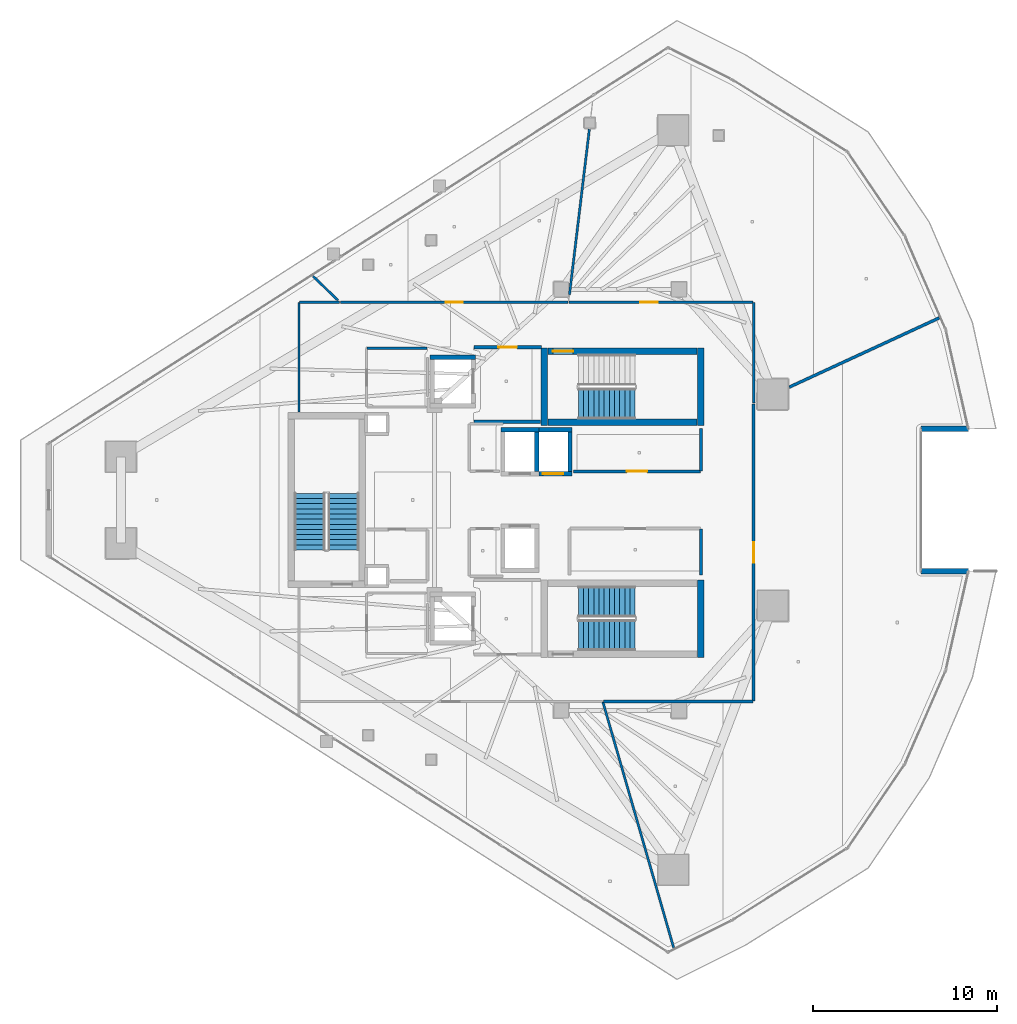
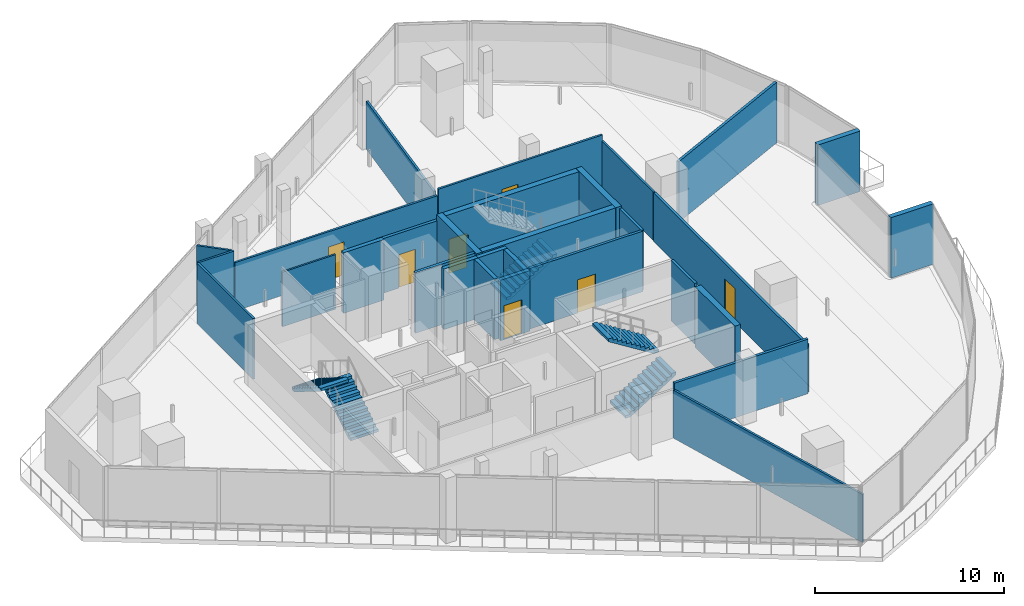
# One storey, part 23 of 31: 30 walls, 7 doors, 5 stair flights, 7 openings, 3 elements without a shape of their own.
"""IFC4 building model written with IfcOpenShell, lengths in metres."""

from ifc_helpers import new_model, si_unit, direction, frame, frame_2d, origin, place, context, subcontext, project, spatial, polyline, rectangle, outline, extrude, material, layer, layer_set, type_object, element, fill, aggregate, save


model = new_model("IFC4")

# Units and contexts
model_context = context("Model", 3, precision=1e-05, world=origin(), true_north=direction((0.0, 1.0)))
body_context = subcontext(model_context, "Body", "Model", "MODEL_VIEW")
ifc_project = project(units=[si_unit("LENGTHUNIT", "METRE"), si_unit("AREAUNIT", "SQUARE_METRE"), si_unit("VOLUMEUNIT", "CUBIC_METRE"), si_unit("PLANEANGLEUNIT", "RADIAN"), si_unit("MASSUNIT", "GRAM", prefix="KILO")], contexts=[model_context])

# Site, building, storey
site_placement = place(None, origin())
site = spatial("IfcSite", under=ifc_project, at=site_placement, CompositionType="ELEMENT")
building_placement = place(site_placement, origin())
building = spatial("IfcBuilding", under=site, at=building_placement, Name="Qorvath Tower", CompositionType="ELEMENT")
storey_placement = place(building_placement, frame((0.0, 0.0, 264.0)))
storey = spatial("IfcBuildingStorey", under=building, at=storey_placement, Name="L61", CompositionType="ELEMENT", Elevation=264.0)

# Wall
ifc_material_1 = material(Name="Gypsum shaftliner on steel studs", Category="steel")
ifc_layer_1 = layer(ifc_material_1, 0.179931640625)
ifc_layer_set_1 = layer_set([ifc_layer_1], Name="FW-LOBBY")
wall_type_1 = type_object("IfcWallType", Name="FW-LOBBY", PredefinedType="PARTITIONING", material=ifc_layer_set_1)
wall_1_placement = place(storey_placement, frame((-28.35498046875, 4.25, 0.0), z_axis=(0.0, 0.0, 1.0), x_axis=(1.0, 0.0, 0.0)))
element("IfcWall", 1, at=wall_1_placement, inside=storey, type_object=wall_type_1, Name="Interior Partition IW-T1-L61-001", PredefinedType="PARTITIONING", context=body_context, shape_type="SweptSolid", body=[
    extrude(rectangle(XDim=3.6220703125, YDim=0.179931640625, at=frame_2d((1.81103515625, 0.0))), origin(), (0.0, 0.0, 1.0), 3.909912109375),
])

# Wall, opening, door
wall_2_placement = place(storey_placement, frame((-24.68408203125, 8.300048828125, 0.0), z_axis=(0.0, 0.0, 1.0), x_axis=(-1.0, 0.0, 0.0)))
wall_2 = element("IfcWall", 2, at=wall_2_placement, inside=storey, type_object=wall_type_1, Name="Interior Partition IW-T1-L61-002", PredefinedType="PARTITIONING", context=body_context, shape_type="SweptSolid", body=[
    extrude(rectangle(XDim=3.6708984375, YDim=0.179931640625, at=frame_2d((1.83544921875, 0.0))), origin(), (0.0, 0.0, 1.0), 3.52880859375),
])
opening_1_placement = place(wall_2_placement, frame((1.33544921875, 0.0, 0.0)))
opening_1 = element("IfcOpeningElement", 3, at=opening_1_placement, cuts=wall_2, Name="Opening D-T1-L61-12", PredefinedType="OPENING", context=body_context, shape_type="SweptSolid", body=[
    extrude(rectangle(XDim=1.0, YDim=2.14990234375, at=frame_2d((0.5, 1.074951171875))), frame((0.0, 0.10009765625, 0.0), z_axis=(0.0, -1.0, 0.0), x_axis=(1.0, 0.0, 0.0)), (0.0, 0.0, 1.0), 0.199951171875),
])
ifc_material_2 = material(Name="Painted galvanised hollow metal", Category="steel")
door_type_1 = type_object("IfcDoorType", Name="FD-60", OperationType="NOTDEFINED", PredefinedType="DOOR", material=ifc_material_2)
door_1_placement = place(opening_1_placement, origin())
door_1 = element("IfcDoor", 4, at=door_1_placement, inside=storey, type_object=door_type_1, Name="Lobby Fire Service Elevator North Door D-T1-L61-12", OperationType="SINGLE_SWING_RIGHT", OverallHeight=2.14990234375, OverallWidth=1.0, PredefinedType="DOOR", context=body_context, shape_type="SweptSolid", body=[
    extrude(rectangle(XDim=1.0, YDim=2.14990234375, at=frame_2d((0.5, 1.074951171875))), frame((0.0, 0.02490234375, 0.0), z_axis=(0.0, -1.0, 0.0), x_axis=(1.0, 0.0, 0.0)), (0.0, 0.0, 1.0), 0.050048828125),
])
fill(opening_1, door_1)

ifc_material_3 = material(Name="Double acoustic gypsum board on steel studs", Category="steel")
ifc_layer_2 = layer(ifc_material_3, 0.159912109375)
ifc_layer_set_2 = layer_set([ifc_layer_2], Name="IW-ACOUSTIC-160")
wall_type_2 = type_object("IfcWallType", Name="IW-ACOUSTIC-160", PredefinedType="PARTITIONING", material=ifc_layer_set_2)
wall_3_placement = place(storey_placement, frame((-22.933837890625, 1.56005859375, 0.0), z_axis=(0.0, 0.0, 1.0), x_axis=(1.0, 0.0, 0.0)))
wall_3 = element("IfcWall", 5, at=wall_3_placement, inside=storey, type_object=wall_type_2, Name="Interior Partition IW-T1-L61-013", PredefinedType="PARTITIONING", context=body_context, shape_type="SweptSolid", body=[
    extrude(rectangle(XDim=6.908935546875, YDim=0.159912109375, at=frame_2d((3.45458984375, 0.0))), origin(), (0.0, 0.0, 1.0), 3.909912109375),
])
opening_2_placement = place(wall_3_placement, frame((2.904541015625, 0.0, 0.0)))
opening_2 = element("IfcOpeningElement", 6, at=opening_2_placement, cuts=wall_3, Name="Opening D-T1-L61-03", PredefinedType="OPENING", context=body_context, shape_type="SweptSolid", body=[
    extrude(rectangle(XDim=1.10009765625, YDim=2.14990234375, at=frame_2d((0.550048828125, 1.074951171875))), frame((0.0, 0.08984375, 0.0), z_axis=(0.0, -1.0, 0.0), x_axis=(1.0, 0.0, 0.0)), (0.0, 0.0, 1.0), 0.179931640625),
])
ifc_material_4 = material(Name="Anodised aluminium acoustic framed glass", Category="aluminium")
door_type_2 = type_object("IfcDoorType", Name="D-03", OperationType="NOTDEFINED", PredefinedType="DOOR", material=ifc_material_4)
door_2_placement = place(opening_2_placement, origin())
door_2 = element("IfcDoor", 7, at=door_2_placement, inside=storey, type_object=door_type_2, Name="L61-RCN North Executive Support Office Door D-T1-L61-03", OperationType="SINGLE_SWING_LEFT", OverallHeight=2.14990234375, OverallWidth=1.10009765625, PredefinedType="DOOR", context=body_context, shape_type="SweptSolid", body=[
    extrude(rectangle(XDim=1.10009765625, YDim=2.14990234375, at=frame_2d((0.550048828125, 1.074951171875))), frame((0.0, 0.02490234375, 0.0), z_axis=(0.0, -1.0, 0.0), x_axis=(1.0, 0.0, 0.0)), (0.0, 0.0, 1.0), 0.050048828125),
])
fill(opening_2, door_2)

# Walls
wall_4_placement = place(storey_placement, frame((-16.0, 1.585205078125, 0.0), z_axis=(0.0, 0.0, 1.0), x_axis=(0.0, 1.0, 0.0)))
element("IfcWall", 8, at=wall_4_placement, inside=storey, type_object=wall_type_2, Name="Interior Partition IW-T1-L61-014", PredefinedType="PARTITIONING", context=body_context, shape_type="SweptSolid", body=[
    extrude(rectangle(XDim=2.30224609375, YDim=0.159912109375, at=frame_2d((1.151123046875, 0.0))), origin(), (0.0, 0.0, 1.0), 3.909912109375),
])
wall_5_placement = place(storey_placement, frame((-16.0, -4.0751953125, 0.0), z_axis=(0.0, 0.0, 1.0), x_axis=(0.0, 1.0, 0.0)))
element("IfcWall", 9, at=wall_5_placement, inside=storey, type_object=wall_type_2, Name="Interior Partition IW-T1-L61-016", PredefinedType="PARTITIONING", context=body_context, shape_type="SweptSolid", body=[
    extrude(rectangle(XDim=2.489990234375, YDim=0.159912109375, at=frame_2d((1.2451171875, 0.0))), origin(), (0.0, 0.0, 1.0), 3.909912109375),
])

# Wall, opening, door
wall_6_placement = place(storey_placement, frame((-13.14208984375, 5.2177734375, 0.0), z_axis=(0.0, 0.0, 1.0), x_axis=(0.0, -1.0, 0.0)))
wall_6 = element("IfcWall", 10, at=wall_6_placement, inside=storey, type_object=wall_type_2, Name="Interior Partition IW-T1-L61-033", PredefinedType="PARTITIONING", context=body_context, shape_type="SweptSolid", body=[
    extrude(rectangle(XDim=16.15087890625, YDim=0.159912109375, at=frame_2d((8.075439453125, 0.0))), origin(), (0.0, 0.0, 1.0), 3.1298828125),
])
opening_3_placement = place(wall_6_placement, frame((7.525390625, 0.0, 0.0)))
opening_3 = element("IfcOpeningElement", 11, at=opening_3_placement, cuts=wall_6, Name="Opening D-T1-L61-09", PredefinedType="OPENING", context=body_context, shape_type="SweptSolid", body=[
    extrude(rectangle(XDim=1.10009765625, YDim=2.14990234375, at=frame_2d((0.550048828125, 1.074951171875))), frame((0.0, 0.08984375, 0.0), z_axis=(0.0, -1.0, 0.0), x_axis=(1.0, 0.0, 0.0)), (0.0, 0.0, 1.0), 0.179931640625),
])
door_3_placement = place(opening_3_placement, origin())
door_3 = element("IfcDoor", 12, at=door_3_placement, inside=storey, type_object=door_type_2, Name="L61-02 Enclosed Conference Suite Door D-T1-L61-09", OperationType="SINGLE_SWING_LEFT", OverallHeight=2.14990234375, OverallWidth=1.10009765625, PredefinedType="DOOR", context=body_context, shape_type="SweptSolid", body=[
    extrude(rectangle(XDim=1.10009765625, YDim=2.14990234375, at=frame_2d((0.550048828125, 1.074951171875))), frame((0.0, 0.02490234375, 0.0), z_axis=(0.0, -1.0, 0.0), x_axis=(1.0, 0.0, 0.0)), (0.0, 0.0, 1.0), 0.050048828125),
])
fill(opening_3, door_3)

# Walls
wall_7_placement = place(storey_placement, frame((-21.31201171875, -10.9580078125, 0.0), z_axis=(0.0, 0.0, 1.0), x_axis=(1.0, 0.0, 0.0)))
element("IfcWall", 13, at=wall_7_placement, inside=storey, type_object=wall_type_2, Name="Interior Partition IW-T1-L61-034", PredefinedType="PARTITIONING", context=body_context, shape_type="SweptSolid", body=[
    extrude(rectangle(XDim=8.14501953125, YDim=0.159912109375, at=frame_2d((4.072509765625, 0.0))), origin(), (0.0, 0.0, 1.0), 3.52880859375),
])
wall_8_placement = place(storey_placement, frame((-3.059326171875, 9.89697265625, 0.0), z_axis=(0.0, 0.0, 1.0), x_axis=(-0.907934704676, -0.419111646276, 0.0)))
element("IfcWall", 14, at=wall_8_placement, inside=storey, type_object=wall_type_2, Name="Interior Partition IW-T1-L61-035", PredefinedType="PARTITIONING", context=body_context, shape_type="SweptSolid", body=[
    extrude(rectangle(XDim=8.97607421875, YDim=0.159912109375, at=frame_2d((4.488037109375, 0.0))), origin(), (0.0, 0.0, 1.0), 3.909912109375),
])
ifc_material_5 = material(Name="Gypsum board on metal studs with mineral wool", Category="gypsum")
ifc_layer_3 = layer(ifc_material_5, 0.125)
ifc_layer_set_3 = layer_set([ifc_layer_3], Name="IW-PART-125")
wall_type_3 = type_object("IfcWallType", Name="IW-PART-125", PredefinedType="PARTITIONING", material=ifc_layer_set_3)
wall_9_placement = place(storey_placement, frame((-37.85791015625, 10.733154296875, 0.0), z_axis=(0.0, 0.0, 1.0), x_axis=(0.0, -1.0, 0.0)))
element("IfcWall", 15, at=wall_9_placement, inside=storey, type_object=wall_type_3, Name="Interior Partition IW-T1-L61-029", PredefinedType="PARTITIONING", context=body_context, shape_type="SweptSolid", body=[
    extrude(rectangle(XDim=5.949951171875, YDim=0.125, at=frame_2d((2.97509765625, 0.0))), origin(), (0.0, 0.0, 1.0), 3.909912109375),
])
wall_10_placement = place(storey_placement, frame((-35.6650390625, 10.758056640625, 0.0), z_axis=(0.0, 0.0, 1.0), x_axis=(-1.0, 0.0, 0.0)))
element("IfcWall", 16, at=wall_10_placement, inside=storey, type_object=wall_type_3, Name="Interior Partition IW-T1-L61-030", PredefinedType="PARTITIONING", context=body_context, shape_type="SweptSolid", body=[
    extrude(rectangle(XDim=2.16796875, YDim=0.125, at=frame_2d((1.083984375, 0.0))), origin(), (0.0, 0.0, 1.0), 3.909912109375),
])
wall_11_placement = place(storey_placement, frame((-35.74609375, 10.8603515625, 0.0), z_axis=(0.0, 0.0, 1.0), x_axis=(-0.719327666051, 0.694670935662, 0.0)))
element("IfcWall", 17, at=wall_11_placement, inside=storey, type_object=wall_type_3, Name="Interior Partition IW-T1-L61-031", PredefinedType="PARTITIONING", context=body_context, shape_type="SweptSolid", body=[
    extrude(rectangle(XDim=1.88134765625, YDim=0.125, at=frame_2d((0.940673828125, 0.0))), origin(), (0.0, 0.0, 1.0), 3.909912109375),
])
wall_12_placement = place(storey_placement, frame((-17.489990234375, -24.3486328125, 0.0), z_axis=(0.0, 0.0, 1.0), x_axis=(-0.276670145559, 0.960964947621, 0.0)))
element("IfcWall", 18, at=wall_12_placement, inside=storey, type_object=wall_type_3, Name="Interior Partition IW-T1-L61-032", PredefinedType="PARTITIONING", context=body_context, shape_type="SweptSolid", body=[
    extrude(rectangle(XDim=13.90966796875, YDim=0.125, at=frame_2d((6.954833984375, 0.0))), origin(), (0.0, 0.0, 1.0), 3.10693359375),
])

# Wall, opening, door
wall_13_placement = place(storey_placement, frame((-23.180419921875, 10.758056640625, 0.0), z_axis=(0.0, 0.0, 1.0), x_axis=(1.0, 0.0, 0.0)))
wall_13 = element("IfcWall", 19, at=wall_13_placement, inside=storey, type_object=wall_type_3, Name="Interior Partition IW-T1-L61-036", PredefinedType="PARTITIONING", context=body_context, shape_type="SweptSolid", body=[
    extrude(rectangle(XDim=10.013427734375, YDim=0.125, at=frame_2d((5.0068359375, 0.0))), origin(), (0.0, 0.0, 1.0), 3.52880859375),
])
opening_4_placement = place(wall_13_placement, frame((3.88427734375, 0.0, 0.0)))
opening_4 = element("IfcOpeningElement", 20, at=opening_4_placement, cuts=wall_13, Name="Opening D-T1-L61-10", PredefinedType="OPENING", context=body_context, shape_type="SweptSolid", body=[
    extrude(rectangle(XDim=0.949951171875, YDim=2.14990234375, at=frame_2d((0.47509765625, 1.074951171875))), frame((0.0, 0.072509765625, 0.0), z_axis=(0.0, -1.0, 0.0), x_axis=(1.0, 0.0, 0.0)), (0.0, 0.0, 1.0), 0.14501953125),
])
ifc_material_6 = material(Name="Solid-core American white oak veneer", Category="wood")
door_type_3 = type_object("IfcDoorType", Name="D-01", OperationType="NOTDEFINED", PredefinedType="DOOR", material=ifc_material_6)
door_4_placement = place(opening_4_placement, origin())
door_4 = element("IfcDoor", 21, at=door_4_placement, inside=storey, type_object=door_type_3, Name="L61-03 Focus Collaboration Pod Door D-T1-L61-10", OperationType="SINGLE_SWING_RIGHT", OverallHeight=2.14990234375, OverallWidth=0.949951171875, PredefinedType="DOOR", context=body_context, shape_type="SweptSolid", body=[
    extrude(rectangle(XDim=0.949951171875, YDim=2.14990234375, at=frame_2d((0.47509765625, 1.074951171875))), frame((0.0, 0.02490234375, 0.0), z_axis=(0.0, -1.0, 0.0), x_axis=(1.0, 0.0, 0.0)), (0.0, 0.0, 1.0), 0.050048828125),
])
fill(opening_4, door_4)

# Walls
wall_14_placement = place(storey_placement, frame((-13.14208984375, 5.276611328125, 0.0), z_axis=(0.0, 0.0, 1.0), x_axis=(0.0, 1.0, 0.0)))
element("IfcWall", 22, at=wall_14_placement, inside=storey, type_object=wall_type_3, Name="Interior Partition IW-T1-L61-037", PredefinedType="PARTITIONING", context=body_context, shape_type="SweptSolid", body=[
    extrude(rectangle(XDim=5.45654296875, YDim=0.125, at=frame_2d((2.728271484375, 0.0))), origin(), (0.0, 0.0, 1.0), 3.1298828125),
])
wall_15_placement = place(storey_placement, frame((-22.074462890625, 20.155029296875, 0.0), z_axis=(0.0, 0.0, 1.0), x_axis=(-0.119476721167, -0.992837002281, 0.0)))
element("IfcWall", 23, at=wall_15_placement, inside=storey, type_object=wall_type_3, Name="Interior Partition IW-T1-L61-038", PredefinedType="PARTITIONING", context=body_context, shape_type="SweptSolid", body=[
    extrude(rectangle(XDim=9.060546875, YDim=0.125, at=frame_2d((4.5302734375, 0.0))), origin(), (0.0, 0.0, 1.0), 3.10693359375),
])

# Wall, opening, door
wall_16_placement = place(storey_placement, frame((-35.603759765625, 10.758056640625, 0.0), z_axis=(0.0, 0.0, 1.0), x_axis=(1.0, 0.0, 0.0)))
wall_16 = element("IfcWall", 24, at=wall_16_placement, inside=storey, type_object=wall_type_3, Name="Interior Partition IW-T1-L61-039", PredefinedType="PARTITIONING", context=body_context, shape_type="SweptSolid", body=[
    extrude(rectangle(XDim=12.365478515625, YDim=0.125, at=frame_2d((6.1826171875, 0.0))), origin(), (0.0, 0.0, 1.0), 3.1298828125),
])
opening_5_placement = place(wall_16_placement, frame((5.707763671875, 0.0, 0.0)))
opening_5 = element("IfcOpeningElement", 25, at=opening_5_placement, cuts=wall_16, Name="Opening D-T1-L61-11", PredefinedType="OPENING", context=body_context, shape_type="SweptSolid", body=[
    extrude(rectangle(XDim=0.949951171875, YDim=2.14990234375, at=frame_2d((0.47509765625, 1.074951171875))), frame((0.0, 0.072509765625, 0.0), z_axis=(0.0, -1.0, 0.0), x_axis=(1.0, 0.0, 0.0)), (0.0, 0.0, 1.0), 0.14501953125),
])
door_5_placement = place(opening_5_placement, origin())
door_5 = element("IfcDoor", 26, at=door_5_placement, inside=storey, type_object=door_type_3, Name="L61-04 Staff Refreshment Pantry and Coffee Bar Door D-T1-L61-11", OperationType="SINGLE_SWING_LEFT", OverallHeight=2.14990234375, OverallWidth=0.949951171875, PredefinedType="DOOR", context=body_context, shape_type="SweptSolid", body=[
    extrude(rectangle(XDim=0.949951171875, YDim=2.14990234375, at=frame_2d((0.47509765625, 1.074951171875))), frame((0.0, 0.02490234375, 0.0), z_axis=(0.0, -1.0, 0.0), x_axis=(1.0, 0.0, 0.0)), (0.0, 0.0, 1.0), 0.050048828125),
])
fill(opening_5, door_5)

# Walls
ifc_material_7 = material(Name="Moisture-resistant cement board on metal studs", Category="gypsum")
ifc_layer_4 = layer(ifc_material_7, 0.110107421875)
ifc_layer_set_4 = layer_set([ifc_layer_4], Name="IW-WC-110")
wall_type_4 = type_object("IfcWallType", Name="IW-WC-110", PredefinedType="PARTITIONING", material=ifc_layer_set_4)
wall_17_placement = place(storey_placement, frame((-30.90478515625, 8.25, 0.0), z_axis=(0.0, 0.0, 1.0), x_axis=(-1.0, 0.0, 0.0)))
element("IfcWall", 27, at=wall_17_placement, inside=storey, type_object=wall_type_4, Name="Interior Partition IW-T1-L61-008", PredefinedType="PARTITIONING", context=body_context, shape_type="SweptSolid", body=[
    extrude(rectangle(XDim=3.25, YDim=0.110107421875, at=frame_2d((1.625, 0.0))), origin(), (0.0, 0.0, 1.0), 3.52880859375),
])
ifc_material_8 = material(Name="Concrete C60/75", Category="concrete")
ifc_layer_5 = layer(ifc_material_8, 0.260009765625)
ifc_layer_set_5 = layer_set([ifc_layer_5], Name="SW-SHAFT")
wall_type_5 = type_object("IfcWallType", Name="SW-SHAFT", PredefinedType="SHEAR", material=ifc_layer_set_5)
wall_18_placement = place(storey_placement, frame((-30.739990234375, 7.77001953125, 0.0), z_axis=(0.0, 0.0, 1.0), x_axis=(1.0, 0.0, 0.0)))
element("IfcWall", 28, at=wall_18_placement, inside=storey, type_object=wall_type_5, Name="Hoistway Wall FSAE-1 L61 N", PredefinedType="SHEAR", context=body_context, shape_type="SweptSolid", body=[
    extrude(rectangle(XDim=2.47998046875, YDim=0.239990234375, at=frame_2d((1.239990234375, 0.0))), origin(), (0.0, 0.0, 1.0), 3.909912109375),
])
wall_19_placement = place(storey_placement, frame((-26.889892578125, 3.820068359375, 0.0), z_axis=(0.0, 0.0, 1.0), x_axis=(1.0, 0.0, 0.0)))
element("IfcWall", 29, at=wall_19_placement, inside=storey, type_object=wall_type_5, Name="Hoistway Wall PH-1 L61 N", PredefinedType="SHEAR", context=body_context, shape_type="SweptSolid", body=[
    extrude(rectangle(XDim=2.079833984375, YDim=0.239990234375, at=frame_2d((1.0400390625, 0.0))), origin(), (0.0, 0.0, 1.0), 3.909912109375),
])
wall_20_placement = place(storey_placement, frame((-24.929931640625, 3.68798828125, 0.0), z_axis=(0.0, 0.0, 1.0), x_axis=(0.0, -1.0, 0.0)))
element("IfcWall", 30, at=wall_20_placement, inside=storey, type_object=wall_type_5, Name="Hoistway Wall PH-1 L61 E", PredefinedType="SHEAR", context=body_context, shape_type="SweptSolid", body=[
    extrude(rectangle(XDim=2.1259765625, YDim=0.239990234375, at=frame_2d((1.06298828125, 0.0))), origin(), (0.0, 0.0, 1.0), 3.909912109375),
])

# Wall, opening, door
wall_21_placement = place(storey_placement, frame((-23.010009765625, 1.429931640625, 0.0), z_axis=(0.0, 0.0, 1.0), x_axis=(-1.0, 0.0, 0.0)))
wall_21 = element("IfcWall", 31, at=wall_21_placement, inside=storey, type_object=wall_type_5, Name="Hoistway Wall PH-2 L61 S", PredefinedType="SHEAR", context=body_context, shape_type="SweptSolid", body=[
    extrude(rectangle(XDim=1.800048828125, YDim=0.239990234375, at=frame_2d((0.89990234375, 0.0))), origin(), (0.0, 0.0, 1.0), 3.909912109375),
])
opening_6_placement = place(wall_21_placement, frame((0.489990234375, 0.0, 0.0)))
opening_6 = element("IfcOpeningElement", 32, at=opening_6_placement, cuts=wall_21, Name="Opening LD-PH-2-L61", PredefinedType="OPENING", context=body_context, shape_type="SweptSolid", body=[
    extrude(rectangle(XDim=1.10009765625, YDim=2.199951171875, at=frame_2d((0.550048828125, 1.10009765625))), frame((0.0, 0.1298828125, 0.0), z_axis=(0.0, -1.0, 0.0), x_axis=(1.0, 0.0, 0.0)), (0.0, 0.0, 1.0), 0.260009765625),
])
ifc_material_9 = material(Name="Brushed stainless steel AISI 316", Category="steel")
door_type_4 = type_object("IfcDoorType", Name="LD-01", OperationType="NOTDEFINED", PredefinedType="DOOR", material=ifc_material_9)
door_6_placement = place(opening_6_placement, origin())
door_6 = element("IfcDoor", 33, at=door_6_placement, inside=storey, type_object=door_type_4, Name="Elevator Landing Sliding Door LD-PH-2-L61", OperationType="DOUBLE_DOOR_SLIDING", OverallHeight=2.199951171875, OverallWidth=1.10009765625, PredefinedType="DOOR", context=body_context, shape_type="SweptSolid", body=[
    extrude(rectangle(XDim=1.10009765625, YDim=2.199951171875, at=frame_2d((0.550048828125, 1.10009765625))), frame((0.0, 0.02490234375, 0.0), z_axis=(0.0, -1.0, 0.0), x_axis=(1.0, 0.0, 0.0)), (0.0, 0.0, 1.0), 0.050048828125),
])
fill(opening_6, door_6)

# Walls
wall_22_placement = place(storey_placement, frame((-24.81005859375, 3.820068359375, 0.0), z_axis=(0.0, 0.0, 1.0), x_axis=(1.0, 0.0, 0.0)))
element("IfcWall", 34, at=wall_22_placement, inside=storey, type_object=wall_type_5, Name="Hoistway Wall PH-2 L61 N", PredefinedType="SHEAR", context=body_context, shape_type="SweptSolid", body=[
    extrude(rectangle(XDim=1.800048828125, YDim=0.239990234375, at=frame_2d((0.89990234375, 0.0))), origin(), (0.0, 0.0, 1.0), 3.909912109375),
])
wall_23_placement = place(storey_placement, frame((-23.1298828125, 3.68798828125, 0.0), z_axis=(0.0, 0.0, 1.0), x_axis=(0.0, -1.0, 0.0)))
element("IfcWall", 35, at=wall_23_placement, inside=storey, type_object=wall_type_5, Name="Hoistway Wall PH-2 L61 E", PredefinedType="SHEAR", context=body_context, shape_type="SweptSolid", body=[
    extrude(rectangle(XDim=2.1259765625, YDim=0.239990234375, at=frame_2d((1.06298828125, 0.0))), origin(), (0.0, 0.0, 1.0), 3.909912109375),
])
ifc_material_10 = material(Name="Concrete C60/75", Category="concrete")
ifc_layer_6 = layer(ifc_material_10, 0.35009765625)
ifc_layer_set_6 = layer_set([ifc_layer_6], Name="SW-STAIR")
wall_type_6 = type_object("IfcWallType", Name="SW-STAIR", PredefinedType="SHEAR", material=ifc_layer_set_6)
for number, where, z_axis, x_axis, name in (
    (36, (-24.52490234375, 8.260009765625, 0.0), (0.0, 0.0, 1.0), (0.0, -1.0, 0.0), "Stair TS1 Shear Wall L61 NEAR"),
    (37, (-16.02490234375, 4.050048828125, 0.0), (0.0, 0.0, 1.0), (0.0, 1.0, 0.0), "Stair TS1 Shear Wall L61 FAR"),
):
    element("IfcWall", number, at=place(storey_placement, frame(where, z_axis=z_axis, x_axis=x_axis)), inside=storey, type_object=wall_type_6, Name=name, PredefinedType="SHEAR", context=body_context, shape_type="SweptSolid", body=[
        extrude(rectangle(XDim=4.2099609375, YDim=0.35009765625, at=frame_2d((2.10498046875, 0.0))), origin(), (0.0, 0.0, 1.0), 3.909912109375),
    ])
wall_24_placement = place(storey_placement, frame((-24.3349609375, 4.22509765625, 0.0), z_axis=(0.0, 0.0, 1.0), x_axis=(1.0, 0.0, 0.0)))
element("IfcWall", 38, at=wall_24_placement, inside=storey, type_object=wall_type_6, Name="Stair TS1 Shear Wall L61 LEFT", PredefinedType="SHEAR", context=body_context, shape_type="SweptSolid", body=[
    extrude(rectangle(XDim=8.119873046875, YDim=0.35009765625, at=frame_2d((4.06005859375, 0.0))), origin(), (0.0, 0.0, 1.0), 3.909912109375),
])

# Wall, opening, door
wall_25_placement = place(storey_placement, frame((-16.215087890625, 8.0849609375, 0.0), z_axis=(0.0, 0.0, 1.0), x_axis=(-1.0, 0.0, 0.0)))
wall_25 = element("IfcWall", 39, at=wall_25_placement, inside=storey, type_object=wall_type_6, Name="Stair TS1 Shear Wall L61 RIGHT", PredefinedType="SHEAR", context=body_context, shape_type="SweptSolid", body=[
    extrude(rectangle(XDim=8.119873046875, YDim=0.35009765625, at=frame_2d((4.06005859375, 0.0))), origin(), (0.0, 0.0, 1.0), 3.909912109375),
])
opening_7_placement = place(wall_25_placement, frame((6.739990234375, 0.0, 0.0)))
opening_7 = element("IfcOpeningElement", 40, at=opening_7_placement, cuts=wall_25, Name="Opening D-TS1-L61", PredefinedType="OPENING", context=body_context, shape_type="SweptSolid", body=[
    extrude(rectangle(XDim=1.10009765625, YDim=2.199951171875, at=frame_2d((0.550048828125, 1.10009765625))), frame((0.0, 0.18505859375, 0.0), z_axis=(0.0, -1.0, 0.0), x_axis=(1.0, 0.0, 0.0)), (0.0, 0.0, 1.0), 0.3701171875),
])
ifc_material_11 = material(Name="Painted galvanised hollow metal", Category="steel")
door_type_5 = type_object("IfcDoorType", Name="FD-90", OperationType="NOTDEFINED", PredefinedType="DOOR", material=ifc_material_11)
door_7_placement = place(opening_7_placement, origin())
door_7 = element("IfcDoor", 41, at=door_7_placement, inside=storey, type_object=door_type_5, Name="Stair TS1 Fire Door L61", OperationType="SINGLE_SWING_RIGHT", OverallHeight=2.199951171875, OverallWidth=1.10009765625, PredefinedType="DOOR", context=body_context, shape_type="SweptSolid", body=[
    extrude(rectangle(XDim=1.10009765625, YDim=2.199951171875, at=frame_2d((0.550048828125, 1.10009765625))), frame((0.0, 0.02490234375, 0.0), z_axis=(0.0, -1.0, 0.0), x_axis=(1.0, 0.0, 0.0)), (0.0, 0.0, 1.0), 0.050048828125),
])
fill(opening_7, door_7)

# Walls
wall_26_placement = place(storey_placement, frame((-16.02490234375, -8.550048828125, 0.0), z_axis=(0.0, 0.0, 1.0), x_axis=(0.0, 1.0, 0.0)))
element("IfcWall", 42, at=wall_26_placement, inside=storey, type_object=wall_type_6, Name="Stair TS2 Shear Wall L61 FAR", PredefinedType="SHEAR", context=body_context, shape_type="SweptSolid", body=[
    extrude(rectangle(XDim=4.2099609375, YDim=0.35009765625, at=frame_2d((2.10498046875, 0.0))), origin(), (0.0, 0.0, 1.0), 3.909912109375),
])
ifc_material_12 = material(Name="Precast concrete C45/55", Category="concrete")
ifc_layer_7 = layer(ifc_material_12, 0.300048828125)
ifc_layer_set_7 = layer_set([ifc_layer_7], Name="WL-EW-LOG-300")
wall_type_7 = type_object("IfcWallType", Name="WL-EW-LOG-300", PredefinedType="SOLIDWALL", material=ifc_layer_set_7)
for number, where, z_axis, x_axis, name in (
    (43, (-1.466796875, -3.871826171875, 0.0), (0.0, 0.0, 1.0), (-1.0, 0.0, 0.0), "Tower Precast Loggia Wall L61-8.1"),
    (44, (-4.0478515625, 3.871826171875, 0.0), (0.0, 0.0, 1.0), (1.0, 0.0, 0.0), "Tower Precast Loggia Wall L61-10.1"),
):
    element("IfcWall", number, at=place(storey_placement, frame(where, z_axis=z_axis, x_axis=x_axis)), inside=storey, type_object=wall_type_7, Name=name, PredefinedType="SOLIDWALL", context=body_context, shape_type="SweptSolid", body=[
        extrude(rectangle(XDim=2.5810546875, YDim=0.300048828125, at=frame_2d((1.29052734375, 0.0))), origin(), (0.0, 0.0, 1.0), 3.909912109375),
    ])

# Stair, stair flight
ifc_material_13 = material(Name="Concrete C50/60", Category="concrete")
stair_type = type_object("IfcStairType", Name="ST-H420", PredefinedType="HALF_TURN_STAIR", material=ifc_material_13)
stair_1_placement = place(storey_placement, origin())
stair_1 = element("IfcStair", 45, at=stair_1_placement, inside=storey, type_object=stair_type, Name="L61 Tower Exit Stair 1", PredefinedType="HALF_TURN_STAIR")
ifc_material_14 = material(Name="Concrete C50/60", Category="concrete")
ifc_layer_8 = layer(ifc_material_14, 0.14990234375)
ifc_layer_set_8 = layer_set([ifc_layer_8], Name="SF-H420")
stair_flight_type = type_object("IfcStairFlightType", Name="SF-H420", PredefinedType="STRAIGHT", material=ifc_layer_set_8)
stair_flight_1_placement = place(storey_placement, frame((-22.669921875, 5.239990234375, 0.0), z_axis=(0.0, 0.0, 1.0), x_axis=(1.0, 0.0, 0.0)))
stair_flight_1 = element("IfcStairFlight", 46, at=stair_flight_1_placement, type_object=stair_flight_type, Name="TS1 flight 1", NumberOfRisers=12, NumberOfTreads=11, PredefinedType="STRAIGHT", RiserHeight=0.175, TreadLength=0.28, context=body_context, shape_type="SweptSolid", body=[
    extrude(outline(polyline([(0.0, 0.0), (0.0, 0.175048828125), (0.280029296875, 0.175048828125), (0.280029296875, 0.35009765625), (0.56005859375, 0.35009765625), (0.56005859375, 0.52490234375), (0.840087890625, 0.52490234375), (0.840087890625, 0.699951171875), (1.1201171875, 0.699951171875), (1.1201171875, 0.875), (1.39990234375, 0.875), (1.39990234375, 1.050048828125), (1.679931640625, 1.050048828125), (1.679931640625, 1.22509765625), (1.9599609375, 1.22509765625), (1.9599609375, 1.39990234375), (2.239990234375, 1.39990234375), (2.239990234375, 1.574951171875), (2.52001953125, 1.574951171875), (2.52001953125, 1.75), (2.800048828125, 1.75), (2.800048828125, 1.925048828125), (3.080078125, 1.925048828125), (3.080078125, 2.10009765625), (3.080078125, 1.748291015625), (0.28271484375, 0.0), (0.0, 0.0)])), frame((0.0, 0.83984375, 0.0), z_axis=(0.0, -1.0, 0.0), x_axis=(1.0, 0.0, 0.0)), (0.0, 0.0, 1.0), 1.679931640625),
])
aggregate(stair_1, [stair_flight_1])

# Stair, stair flights
stair_2_placement = place(storey_placement, origin())
stair_2 = element("IfcStair", 47, at=stair_2_placement, inside=storey, type_object=stair_type, Name="L61 Tower Exit Stair 2", PredefinedType="HALF_TURN_STAIR")
stair_flight_2_placement = place(storey_placement, frame((-22.669921875, -7.360107421875, 0.0), z_axis=(0.0, 0.0, 1.0), x_axis=(1.0, 0.0, 0.0)))
stair_flight_2 = element("IfcStairFlight", 48, at=stair_flight_2_placement, type_object=stair_flight_type, Name="TS2 flight 1", NumberOfRisers=12, NumberOfTreads=11, PredefinedType="STRAIGHT", RiserHeight=0.175, TreadLength=0.28, context=body_context, shape_type="SweptSolid", body=[
    extrude(outline(polyline([(0.0, 0.0), (0.0, 0.175048828125), (0.280029296875, 0.175048828125), (0.280029296875, 0.35009765625), (0.56005859375, 0.35009765625), (0.56005859375, 0.52490234375), (0.840087890625, 0.52490234375), (0.840087890625, 0.699951171875), (1.1201171875, 0.699951171875), (1.1201171875, 0.875), (1.39990234375, 0.875), (1.39990234375, 1.050048828125), (1.679931640625, 1.050048828125), (1.679931640625, 1.22509765625), (1.9599609375, 1.22509765625), (1.9599609375, 1.39990234375), (2.239990234375, 1.39990234375), (2.239990234375, 1.574951171875), (2.52001953125, 1.574951171875), (2.52001953125, 1.75), (2.800048828125, 1.75), (2.800048828125, 1.925048828125), (3.080078125, 1.925048828125), (3.080078125, 2.10009765625), (3.080078125, 1.748291015625), (0.28271484375, 0.0), (0.0, 0.0)])), frame((0.0, 0.83984375, 0.0), z_axis=(0.0, -1.0, 0.0), x_axis=(1.0, 0.0, 0.0)), (0.0, 0.0, 1.0), 1.679931640625),
])
stair_flight_3_placement = place(storey_placement, frame((-19.590087890625, -5.530029296875, 2.10009765625), z_axis=(0.0, 0.0, 1.0), x_axis=(-1.0, 0.0, 0.0)))
stair_flight_3 = element("IfcStairFlight", 49, at=stair_flight_3_placement, type_object=stair_flight_type, Name="TS2 flight 2", NumberOfRisers=12, NumberOfTreads=11, PredefinedType="STRAIGHT", RiserHeight=0.175, TreadLength=0.28, context=body_context, shape_type="SweptSolid", body=[
    extrude(outline(polyline([(0.0, 0.0), (0.0, 0.175048828125), (0.280029296875, 0.175048828125), (0.280029296875, 0.35009765625), (0.56005859375, 0.35009765625), (0.56005859375, 0.52490234375), (0.840087890625, 0.52490234375), (0.840087890625, 0.699951171875), (1.1201171875, 0.699951171875), (1.1201171875, 0.875), (1.39990234375, 0.875), (1.39990234375, 1.050048828125), (1.679931640625, 1.050048828125), (1.679931640625, 1.22509765625), (1.9599609375, 1.22509765625), (1.9599609375, 1.39990234375), (2.239990234375, 1.39990234375), (2.239990234375, 1.574951171875), (2.52001953125, 1.574951171875), (2.52001953125, 1.75), (2.800048828125, 1.75), (2.800048828125, 1.925048828125), (3.080078125, 1.925048828125), (3.080078125, 2.10009765625), (3.080078125, 1.748291015625), (0.28271484375, 0.0), (0.0, 0.0)])), frame((0.0, 0.83984375, 0.0), z_axis=(0.0, -1.0, 0.0), x_axis=(1.0, 0.0, 0.0)), (0.0, 0.0, 1.0), 1.679931640625),
])
aggregate(stair_2, [stair_flight_2, stair_flight_3])

stair_3_placement = place(storey_placement, origin())
stair_3 = element("IfcStair", 50, at=stair_3_placement, inside=storey, type_object=stair_type, Name="L61 Tower Exit Stair 3", PredefinedType="HALF_TURN_STAIR")
stair_flight_4_placement = place(storey_placement, frame((-35.43994140625, -2.719970703125, 0.0), z_axis=(0.0, 0.0, 1.0), x_axis=(0.0, 1.0, 0.0)))
stair_flight_4 = element("IfcStairFlight", 51, at=stair_flight_4_placement, type_object=stair_flight_type, Name="TS3 flight 1", NumberOfRisers=12, NumberOfTreads=11, PredefinedType="STRAIGHT", RiserHeight=0.175, TreadLength=0.28, context=body_context, shape_type="SweptSolid", body=[
    extrude(outline(polyline([(0.0, 0.0), (0.0, 0.175048828125), (0.280029296875, 0.175048828125), (0.280029296875, 0.35009765625), (0.56005859375, 0.35009765625), (0.56005859375, 0.52490234375), (0.840087890625, 0.52490234375), (0.840087890625, 0.699951171875), (1.1201171875, 0.699951171875), (1.1201171875, 0.875), (1.39990234375, 0.875), (1.39990234375, 1.050048828125), (1.679931640625, 1.050048828125), (1.679931640625, 1.22509765625), (1.9599609375, 1.22509765625), (1.9599609375, 1.39990234375), (2.239990234375, 1.39990234375), (2.239990234375, 1.574951171875), (2.52001953125, 1.574951171875), (2.52001953125, 1.75), (2.800048828125, 1.75), (2.800048828125, 1.925048828125), (3.080078125, 1.925048828125), (3.080078125, 2.10009765625), (3.080078125, 1.748291015625), (0.28271484375, 0.0), (0.0, 0.0)])), frame((0.0, 0.83984375, 0.0), z_axis=(0.0, -1.0, 0.0), x_axis=(1.0, 0.0, 0.0)), (0.0, 0.0, 1.0), 1.679931640625),
])
stair_flight_5_placement = place(storey_placement, frame((-37.27001953125, 0.360107421875, 2.10009765625), z_axis=(0.0, 0.0, 1.0), x_axis=(0.0, -1.0, 0.0)))
stair_flight_5 = element("IfcStairFlight", 52, at=stair_flight_5_placement, type_object=stair_flight_type, Name="TS3 flight 2", NumberOfRisers=12, NumberOfTreads=11, PredefinedType="STRAIGHT", RiserHeight=0.175, TreadLength=0.28, context=body_context, shape_type="SweptSolid", body=[
    extrude(outline(polyline([(0.0, 0.0), (0.0, 0.175048828125), (0.280029296875, 0.175048828125), (0.280029296875, 0.35009765625), (0.56005859375, 0.35009765625), (0.56005859375, 0.52490234375), (0.840087890625, 0.52490234375), (0.840087890625, 0.699951171875), (1.1201171875, 0.699951171875), (1.1201171875, 0.875), (1.39990234375, 0.875), (1.39990234375, 1.050048828125), (1.679931640625, 1.050048828125), (1.679931640625, 1.22509765625), (1.9599609375, 1.22509765625), (1.9599609375, 1.39990234375), (2.239990234375, 1.39990234375), (2.239990234375, 1.574951171875), (2.52001953125, 1.574951171875), (2.52001953125, 1.75), (2.800048828125, 1.75), (2.800048828125, 1.925048828125), (3.080078125, 1.925048828125), (3.080078125, 2.10009765625), (3.080078125, 1.748291015625), (0.28271484375, 0.0), (0.0, 0.0)])), frame((0.0, 0.83984375, 0.0), z_axis=(0.0, -1.0, 0.0), x_axis=(1.0, 0.0, 0.0)), (0.0, 0.0, 1.0), 1.679931640625),
])
aggregate(stair_3, [stair_flight_4, stair_flight_5])

save(model, "model.ifc")
